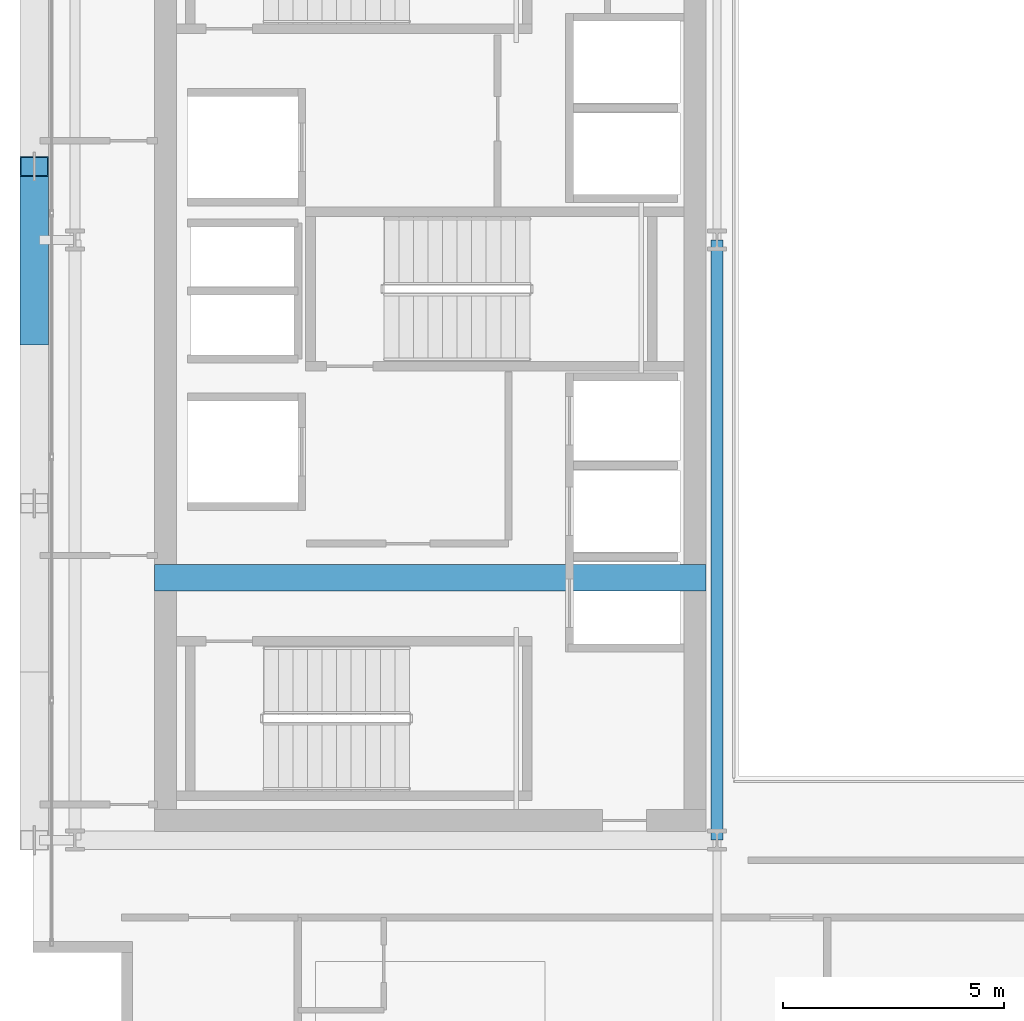
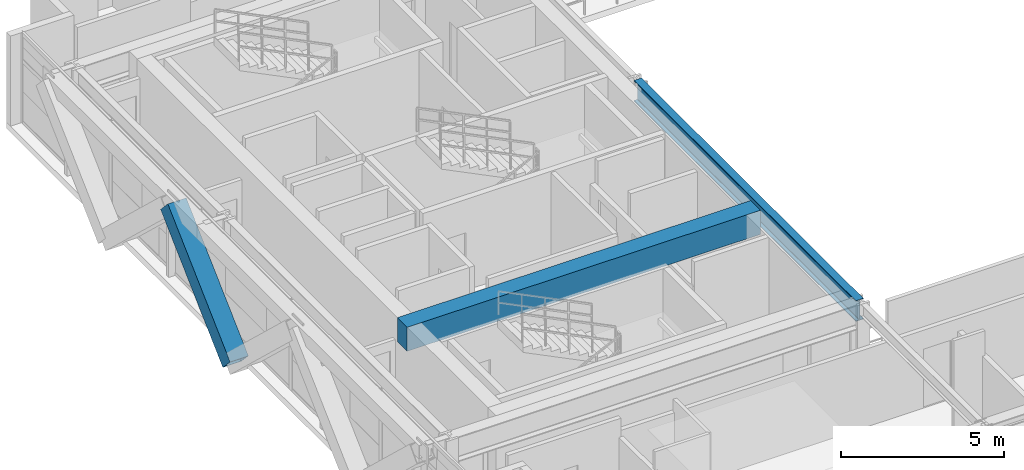
# One storey, part 7 of 34: 2 beams, 1 member.
"""IFC4 building model written with IfcOpenShell, lengths in metres."""

from ifc_helpers import new_model, si_unit, direction, frame, origin, origin_2d, place, context, subcontext, project, spatial, rectangle, hollow_rectangle, i_section, extrude, source, transform, mapped, material, material_profile, profile_set, type_object, element, save


model = new_model("IFC4")

# Units and contexts
model_context = context("Model", 3, precision=1e-05, world=origin(), true_north=direction((0.0, 1.0)))
body_context = subcontext(model_context, "Body", "Model", "MODEL_VIEW")
ifc_project = project(units=[si_unit("LENGTHUNIT", "METRE"), si_unit("AREAUNIT", "SQUARE_METRE"), si_unit("VOLUMEUNIT", "CUBIC_METRE"), si_unit("PLANEANGLEUNIT", "RADIAN"), si_unit("MASSUNIT", "GRAM", prefix="KILO")], contexts=[model_context])

# Site, building, storey
site_placement = place(None, origin())
site = spatial("IfcSite", under=ifc_project, at=site_placement, CompositionType="ELEMENT")
building_placement = place(site_placement, origin())
building = spatial("IfcBuilding", under=site, at=building_placement, Name="Ocotamira Hotel", CompositionType="ELEMENT")
storey_placement = place(building_placement, frame((0.0, 0.0, 163.199951171875)))
storey = spatial("IfcBuildingStorey", under=building, at=storey_placement, Name="L40", CompositionType="ELEMENT", Elevation=163.199951171875)

# Beams
ifc_material_1 = material(Name="Concrete C50/60", Category="concrete")
ifc_material_profile_1 = material_profile(ifc_material_1, rectangle(XDim=0.60009765625, YDim=0.89990234375, at=origin_2d()), Name="RC600X900")
ifc_profile_set_1 = profile_set([ifc_material_profile_1], Name="Concrete C50/60")
beam_type_1 = type_object("IfcBeamType", Name="BM-LINK-RC600", PredefinedType="LINTEL", material=ifc_profile_set_1)
shared_shape_1 = source(origin(), body_context, "Body", "SweptSolid", [
    extrude(rectangle(XDim=0.60009765625, YDim=0.89990234375, at=origin_2d()), origin(), (0.0, 0.0, 1.0), 12.5),
])
beam_1_placement = place(storey_placement, frame((10.75, 20.5, 2.920166015625), z_axis=(1.0, 0.0, 0.0), x_axis=(0.0, 1.0, 0.0)))
element("IfcBeam", 1, at=beam_1_placement, inside=storey, type_object=beam_type_1, Name="L40 West Core Coupling Beam", PredefinedType="LINTEL", context=body_context, shape_type="MappedRepresentation", body=[
    mapped(shared_shape_1, transform((0.0, 0.0, 0.0), scale=1.0)),
])
ifc_material_2 = material(Name="Steel ASTM A992 Grade 50", Category="steel")
ifc_material_profile_2 = material_profile(ifc_material_2, i_section(OverallWidth=0.26611328125, OverallDepth=0.779052734375, WebThickness=0.0166015625, FlangeThickness=0.030029296875, FilletRadius=0.01806640625, at=origin_2d()), Name="W30X148")
ifc_profile_set_2 = profile_set([ifc_material_profile_2], Name="Steel ASTM A992 Grade 50")
beam_type_2 = type_object("IfcBeamType", Name="BM-GIRD-W30X148", PredefinedType="BEAM", material=ifc_profile_set_2)
shared_shape_2 = source(origin(), body_context, "Body", "SweptSolid", [
    extrude(i_section(OverallWidth=0.26611328125, OverallDepth=0.779052734375, WebThickness=0.0166015625, FlangeThickness=0.030029296875, FilletRadius=0.01806640625, at=origin_2d()), origin(), (0.0, 0.0, 1.0), 13.599853515625),
])
beam_2_placement = place(storey_placement, frame((23.5, 14.550048828125, 2.98046875), z_axis=(0.0, 1.0, 0.0), x_axis=(-1.0, 0.0, 0.0)))
element("IfcBeam", 2, at=beam_2_placement, inside=storey, type_object=beam_type_2, Name="L40 Beam X23.5 Y14.55-28.15", PredefinedType="BEAM", context=body_context, shape_type="MappedRepresentation", body=[
    mapped(shared_shape_2, transform((0.0, 0.0, 0.0), scale=1.0)),
])

# Member
ifc_material_3 = material(Name="Pale-metal coated steel ASTM A913 Grade 65", Category="steel")
ifc_material_profile_3 = material_profile(ifc_material_3, hollow_rectangle(XDim=0.64990234375, YDim=0.64990234375, WallThickness=0.02197265625, at=origin_2d()), Name="BOX650X650X22")
ifc_profile_set_3 = profile_set([ifc_material_profile_3], Name="Pale-metal coated steel ASTM A913 Grade 65")
member_type = type_object("IfcMemberType", Name="MEM-EXO-BOX650", PredefinedType="BRACE", material=ifc_profile_set_3)
shared_shape_3 = source(origin(), body_context, "Body", "SweptSolid", [
    extrude(hollow_rectangle(XDim=0.64990234375, YDim=0.64990234375, WallThickness=0.02197265625, at=origin_2d()), origin(), (0.0, 0.0, 1.0), 5.24658203125),
])
member_placement = place(storey_placement, frame((8.030029296875, 26.0, -0.47998046875), z_axis=(0.0, 0.727442733726, 0.686168397078), x_axis=(-1.0, 0.0, 0.0)))
element("IfcMember", 3, at=member_placement, inside=storey, type_object=member_type, Name="L40 Exoskeleton Diagrid W1.2", PredefinedType="BRACE", context=body_context, shape_type="MappedRepresentation", body=[
    mapped(shared_shape_3, transform((0.0, 0.0, 0.0), scale=1.0)),
])

save(model, "model.ifc")
